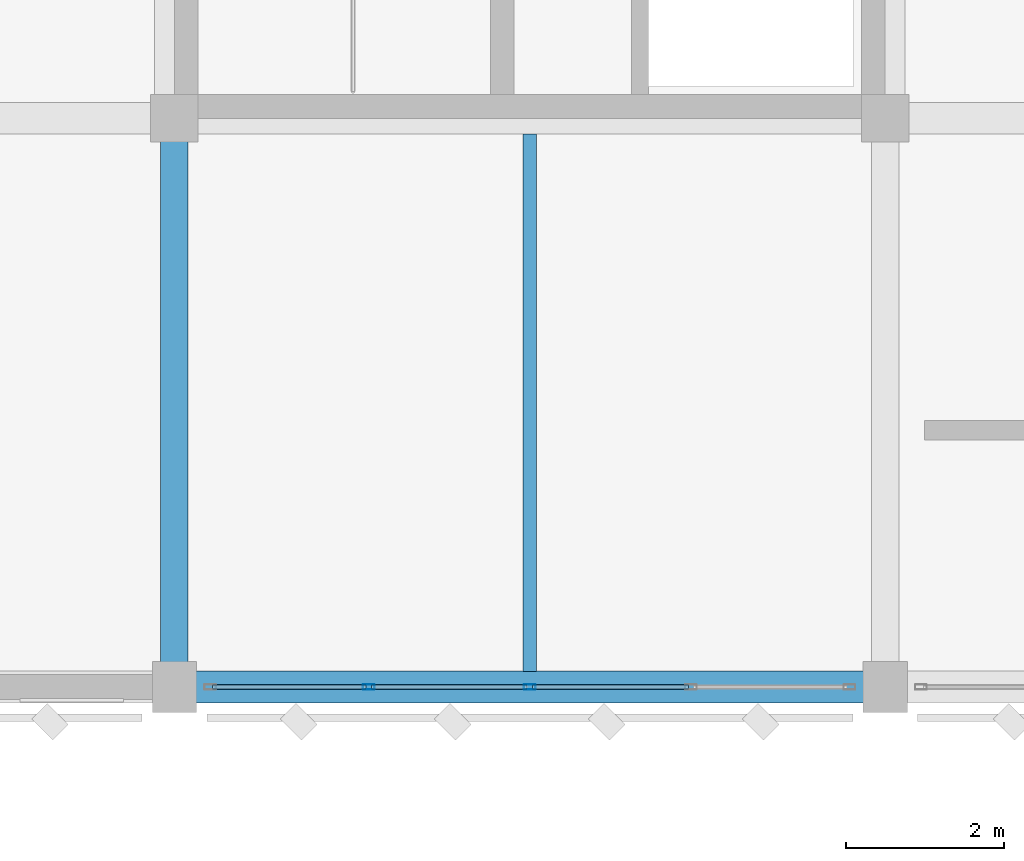
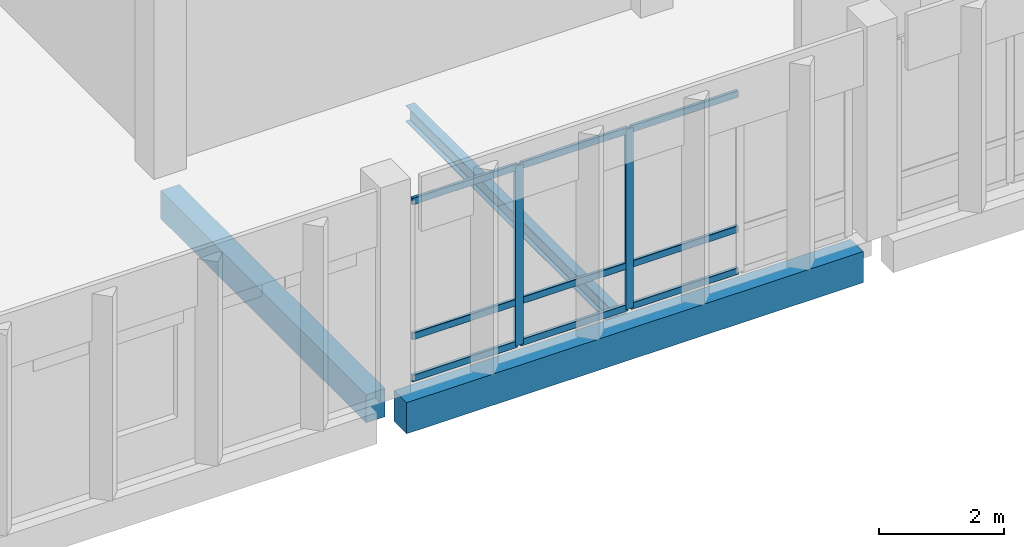
# One storey, part 65 of 158: 11 members, 3 beams, 1 element without a shape of its own.
"""IFC4 building model written with IfcOpenShell, lengths in metres."""

from ifc_helpers import new_model, si_unit, direction, frame, origin, origin_2d, place, context, subcontext, project, spatial, rectangle, hollow_rectangle, i_section, extrude, material, material_profile, profile_set, type_object, element, aggregate, save


model = new_model("IFC4")

# Units and contexts
model_context = context("Model", 3, precision=1e-05, world=origin(), true_north=direction((0.0, 1.0)))
body_context = subcontext(model_context, "Body", "Model", "MODEL_VIEW")
ifc_project = project(units=[si_unit("LENGTHUNIT", "METRE"), si_unit("AREAUNIT", "SQUARE_METRE"), si_unit("VOLUMEUNIT", "CUBIC_METRE"), si_unit("PLANEANGLEUNIT", "RADIAN"), si_unit("MASSUNIT", "GRAM", prefix="KILO")], contexts=[model_context])

# Site, building, storey
site_placement = place(None, origin())
site = spatial("IfcSite", under=ifc_project, at=site_placement, CompositionType="ELEMENT")
building_placement = place(site_placement, origin())
building = spatial("IfcBuilding", under=site, at=building_placement, Name="Lusvemor Sports Hall", CompositionType="ELEMENT")
storey_placement = place(building_placement, frame((0.0, 0.0, 10.800048828125)))
storey = spatial("IfcBuildingStorey", under=building, at=storey_placement, Name="L02", CompositionType="ELEMENT", Elevation=10.800048828125)

# Beam
ifc_material_1 = material(Name="Concrete C40/50", Category="concrete")
ifc_material_profile_1 = material_profile(ifc_material_1, rectangle(XDim=0.35009765625, YDim=0.550048828125, at=origin_2d()), Name="RC350x550")
ifc_profile_set_1 = profile_set([ifc_material_profile_1], Name="Concrete C40/50")
beam_type_1 = type_object("IfcBeamType", Name="BEAM_RC_550", PredefinedType="BEAM", material=ifc_profile_set_1)
beam_1_placement = place(storey_placement, frame((102.60009765625, 97.51611328125, -0.53515625), z_axis=(0.0, 1.0, 0.0), x_axis=(-1.0, 0.0, 0.0)))
element("IfcBeam", 1, at=beam_1_placement, inside=storey, type_object=beam_type_1, Name="Beam L02 11:N-P", PredefinedType="BEAM", context=body_context, shape_type="SweptSolid", body=[
    extrude(rectangle(XDim=0.35009765625, YDim=0.550048828125, at=origin_2d()), origin(), (0.0, 0.0, 1.0), 6.587890625),
])

# Curtain wall, members
ifc_material_2 = material(Name="Thermally broken bronze-anodized aluminium", Category="aluminium")
curtain_wall_type = type_object("IfcCurtainWallType", Name="CW_WING_B", PredefinedType="NOTDEFINED", material=ifc_material_2)
curtain_wall_placement = place(storey_placement, origin())
curtain_wall = element("IfcCurtainWall", 2, at=curtain_wall_placement, inside=storey, type_object=curtain_wall_type, Name="Curtain Wall CW-L02-S-3-8", PredefinedType="NOTDEFINED")
ifc_material_3 = material(Name="Thermally broken bronze-anodized aluminium", Category="aluminium")
ifc_material_profile_2 = material_profile(ifc_material_3, hollow_rectangle(XDim=0.06494140625, YDim=0.14990234375, WallThickness=0.00390625, InnerFilletRadius=0.00390625, OuterFilletRadius=0.008056640625, at=origin_2d()), Name="CWMUL150x65x4")
ifc_profile_set_2 = profile_set([ifc_material_profile_2], Name="Thermally broken bronze-anodized aluminium")
member_type_1 = type_object("IfcMemberType", Name="CW_MUL_B", PredefinedType="MULLION", material=ifc_profile_set_2)
member_1_placement = place(storey_placement, frame((107.10009765625, 97.199951171875, 0.0), z_axis=(0.0, 0.0, 1.0), x_axis=(0.0, -1.0, 0.0)))
member_1 = element("IfcMember", 3, at=member_1_placement, type_object=member_type_1, Name="CW02 mullion 3", PredefinedType="MULLION", context=body_context, shape_type="SweptSolid", body=[
    extrude(hollow_rectangle(XDim=0.06494140625, YDim=0.14990234375, WallThickness=0.00390625, InnerFilletRadius=0.00390625, OuterFilletRadius=0.008056640625, at=origin_2d()), origin(), (0.0, 0.0, 1.0), 3.52001953125),
])
member_2_placement = place(storey_placement, frame((105.06005859375, 97.199951171875, 0.0), z_axis=(0.0, 0.0, 1.0), x_axis=(0.0, -1.0, 0.0)))
member_2 = element("IfcMember", 4, at=member_2_placement, type_object=member_type_1, Name="CW02 mullion 4", PredefinedType="MULLION", context=body_context, shape_type="SweptSolid", body=[
    extrude(hollow_rectangle(XDim=0.06494140625, YDim=0.14990234375, WallThickness=0.00390625, InnerFilletRadius=0.00390625, OuterFilletRadius=0.008056640625, at=origin_2d()), origin(), (0.0, 0.0, 1.0), 3.52001953125),
])
ifc_material_4 = material(Name="Thermally broken bronze-anodized aluminium", Category="aluminium")
ifc_material_profile_3 = material_profile(ifc_material_4, hollow_rectangle(XDim=0.06005859375, YDim=0.135009765625, WallThickness=0.00390625, InnerFilletRadius=0.00390625, OuterFilletRadius=0.008056640625, at=origin_2d()), Name="CWTRN135x60x4")
ifc_profile_set_3 = profile_set([ifc_material_profile_3], Name="Thermally broken bronze-anodized aluminium")
member_type_2 = type_object("IfcMemberType", Name="CW_TRN_B", PredefinedType="USERDEFINED", material=ifc_profile_set_3)
member_3_placement = place(storey_placement, frame((109.107421875, 97.199951171875, 0.030029296875), z_axis=(-1.0, 0.0, 0.0), x_axis=(0.0, -1.0, 0.0)))
member_3 = element("IfcMember", 5, at=member_3_placement, type_object=member_type_2, Name="CW02 transom 2.1", ObjectType="TRANSOM", PredefinedType="USERDEFINED", context=body_context, shape_type="SweptSolid", body=[
    extrude(hollow_rectangle(XDim=0.06005859375, YDim=0.135009765625, WallThickness=0.00390625, InnerFilletRadius=0.00390625, OuterFilletRadius=0.008056640625, at=origin_2d()), origin(), (0.0, 0.0, 1.0), 1.974853515625),
])
member_4_placement = place(storey_placement, frame((109.107421875, 97.199951171875, 0.849853515625), z_axis=(-1.0, 0.0, 0.0), x_axis=(0.0, -1.0, 0.0)))
member_4 = element("IfcMember", 6, at=member_4_placement, type_object=member_type_2, Name="CW02 transom 2.2", ObjectType="TRANSOM", PredefinedType="USERDEFINED", context=body_context, shape_type="SweptSolid", body=[
    extrude(hollow_rectangle(XDim=0.06005859375, YDim=0.135009765625, WallThickness=0.00390625, InnerFilletRadius=0.00390625, OuterFilletRadius=0.008056640625, at=origin_2d()), origin(), (0.0, 0.0, 1.0), 1.974853515625),
])
member_5_placement = place(storey_placement, frame((109.107421875, 97.199951171875, 3.489990234375), z_axis=(-1.0, 0.0, 0.0), x_axis=(0.0, -1.0, 0.0)))
member_5 = element("IfcMember", 7, at=member_5_placement, type_object=member_type_2, Name="CW02 transom 2.3", ObjectType="TRANSOM", PredefinedType="USERDEFINED", context=body_context, shape_type="SweptSolid", body=[
    extrude(hollow_rectangle(XDim=0.06005859375, YDim=0.135009765625, WallThickness=0.00390625, InnerFilletRadius=0.00390625, OuterFilletRadius=0.008056640625, at=origin_2d()), origin(), (0.0, 0.0, 1.0), 1.974853515625),
])
member_6_placement = place(storey_placement, frame((107.0673828125, 97.199951171875, 0.030029296875), z_axis=(-1.0, 0.0, 0.0), x_axis=(0.0, -1.0, 0.0)))
member_6 = element("IfcMember", 8, at=member_6_placement, type_object=member_type_2, Name="CW02 transom 3.1", ObjectType="TRANSOM", PredefinedType="USERDEFINED", context=body_context, shape_type="SweptSolid", body=[
    extrude(hollow_rectangle(XDim=0.06005859375, YDim=0.135009765625, WallThickness=0.00390625, InnerFilletRadius=0.00390625, OuterFilletRadius=0.008056640625, at=origin_2d()), origin(), (0.0, 0.0, 1.0), 1.974853515625),
])
member_7_placement = place(storey_placement, frame((107.0673828125, 97.199951171875, 0.849853515625), z_axis=(-1.0, 0.0, 0.0), x_axis=(0.0, -1.0, 0.0)))
member_7 = element("IfcMember", 9, at=member_7_placement, type_object=member_type_2, Name="CW02 transom 3.2", ObjectType="TRANSOM", PredefinedType="USERDEFINED", context=body_context, shape_type="SweptSolid", body=[
    extrude(hollow_rectangle(XDim=0.06005859375, YDim=0.135009765625, WallThickness=0.00390625, InnerFilletRadius=0.00390625, OuterFilletRadius=0.008056640625, at=origin_2d()), origin(), (0.0, 0.0, 1.0), 1.974853515625),
])
member_8_placement = place(storey_placement, frame((107.0673828125, 97.199951171875, 3.489990234375), z_axis=(-1.0, 0.0, 0.0), x_axis=(0.0, -1.0, 0.0)))
member_8 = element("IfcMember", 10, at=member_8_placement, type_object=member_type_2, Name="CW02 transom 3.3", ObjectType="TRANSOM", PredefinedType="USERDEFINED", context=body_context, shape_type="SweptSolid", body=[
    extrude(hollow_rectangle(XDim=0.06005859375, YDim=0.135009765625, WallThickness=0.00390625, InnerFilletRadius=0.00390625, OuterFilletRadius=0.008056640625, at=origin_2d()), origin(), (0.0, 0.0, 1.0), 1.974853515625),
])
member_9_placement = place(storey_placement, frame((105.027587890625, 97.199951171875, 0.030029296875), z_axis=(-1.0, 0.0, 0.0), x_axis=(0.0, -1.0, 0.0)))
member_9 = element("IfcMember", 11, at=member_9_placement, type_object=member_type_2, Name="CW02 transom 4.1", ObjectType="TRANSOM", PredefinedType="USERDEFINED", context=body_context, shape_type="SweptSolid", body=[
    extrude(hollow_rectangle(XDim=0.06005859375, YDim=0.135009765625, WallThickness=0.00390625, InnerFilletRadius=0.00390625, OuterFilletRadius=0.008056640625, at=origin_2d()), origin(), (0.0, 0.0, 1.0), 1.942626953125),
])
member_10_placement = place(storey_placement, frame((105.027587890625, 97.199951171875, 0.849853515625), z_axis=(-1.0, 0.0, 0.0), x_axis=(0.0, -1.0, 0.0)))
member_10 = element("IfcMember", 12, at=member_10_placement, type_object=member_type_2, Name="CW02 transom 4.2", ObjectType="TRANSOM", PredefinedType="USERDEFINED", context=body_context, shape_type="SweptSolid", body=[
    extrude(hollow_rectangle(XDim=0.06005859375, YDim=0.135009765625, WallThickness=0.00390625, InnerFilletRadius=0.00390625, OuterFilletRadius=0.008056640625, at=origin_2d()), origin(), (0.0, 0.0, 1.0), 1.942626953125),
])
member_11_placement = place(storey_placement, frame((105.027587890625, 97.199951171875, 3.489990234375), z_axis=(-1.0, 0.0, 0.0), x_axis=(0.0, -1.0, 0.0)))
member_11 = element("IfcMember", 13, at=member_11_placement, type_object=member_type_2, Name="CW02 transom 4.3", ObjectType="TRANSOM", PredefinedType="USERDEFINED", context=body_context, shape_type="SweptSolid", body=[
    extrude(hollow_rectangle(XDim=0.06005859375, YDim=0.135009765625, WallThickness=0.00390625, InnerFilletRadius=0.00390625, OuterFilletRadius=0.008056640625, at=origin_2d()), origin(), (0.0, 0.0, 1.0), 1.942626953125),
])
aggregate(curtain_wall, [member_1, member_2, member_3, member_4, member_5, member_6, member_7, member_8, member_9, member_10, member_11])

# Beams
ifc_material_5 = material(Name="Steel S355", Category="steel")
ifc_material_profile_4 = material_profile(ifc_material_5, i_section(OverallWidth=0.1669921875, OverallDepth=0.31689453125, WebThickness=0.007568359375, FlangeThickness=0.01318359375, FilletRadius=0.014892578125, at=origin_2d()), Name="W310x52.0")
ifc_profile_set_4 = profile_set([ifc_material_profile_4], Name="Steel S355")
beam_type_2 = type_object("IfcBeamType", Name="JOIST_ST_310M", PredefinedType="JOIST", material=ifc_profile_set_4)
beam_2_placement = place(storey_placement, frame((107.10009765625, 97.39599609375, -0.422607421875), z_axis=(0.0, 1.0, 0.0), x_axis=(-1.0, 0.0, 0.0)))
element("IfcBeam", 14, at=beam_2_placement, inside=storey, type_object=beam_type_2, Name="Secondary Joist L02 11-12/N-P #1", PredefinedType="JOIST", context=body_context, shape_type="SweptSolid", body=[
    extrude(i_section(OverallWidth=0.1669921875, OverallDepth=0.31689453125, WebThickness=0.007568359375, FlangeThickness=0.01318359375, FilletRadius=0.014892578125, at=origin_2d()), origin(), (0.0, 0.0, 1.0), 6.80810546875),
])
ifc_material_6 = material(Name="Concrete C40/50", Category="concrete")
ifc_material_profile_5 = material_profile(ifc_material_6, rectangle(XDim=0.39990234375, YDim=0.610107421875, at=origin_2d()), Name="RC400x610")
ifc_profile_set_5 = profile_set([ifc_material_profile_5], Name="Concrete C40/50")
beam_type_3 = type_object("IfcBeamType", Name="SPAND_EXT_650", PredefinedType="SPANDREL", material=ifc_profile_set_5)
beam_3_placement = place(storey_placement, frame((102.8759765625, 97.199951171875, -0.56494140625), z_axis=(1.0, 0.0, 0.0), x_axis=(0.0, 1.0, 0.0)))
element("IfcBeam", 15, at=beam_3_placement, inside=storey, type_object=beam_type_3, Name="Beam L02 N:11-12", PredefinedType="SPANDREL", context=body_context, shape_type="SweptSolid", body=[
    extrude(rectangle(XDim=0.39990234375, YDim=0.610107421875, at=origin_2d()), origin(), (0.0, 0.0, 1.0), 8.447998046875),
])

save(model, "model.ifc")
